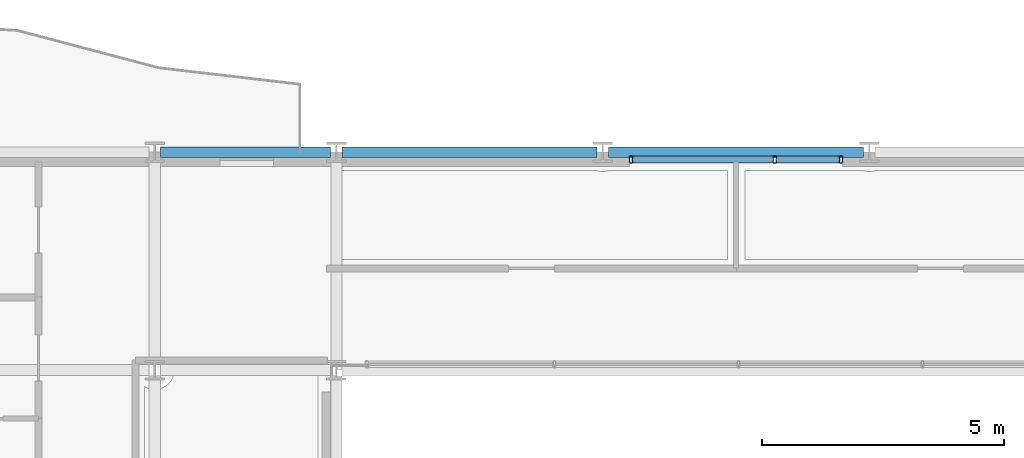
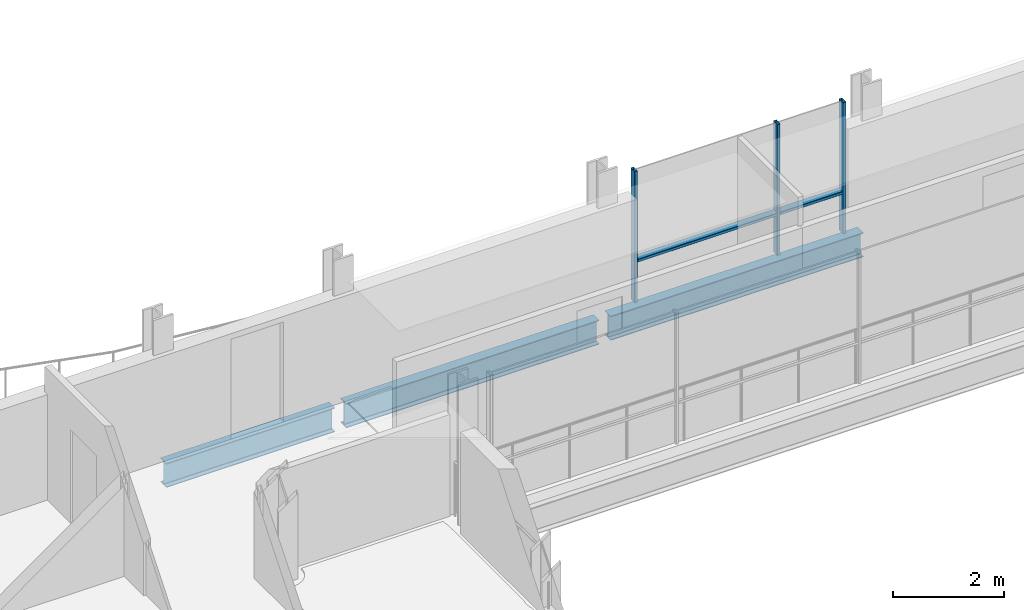
# One storey, part 24 of 41: 5 members, 3 beams, 1 element without a shape of its own.
"""IFC4 building model written with IfcOpenShell, lengths in metres."""

import ifcopenshell
import ifcopenshell.guid

model = None  # the IFC model being written
_history = None  # IfcOwnerHistory: only IFC2X3 demands one
_inside = {}  # id of a spatial element -> (the spatial element, [elements in it])
_under = {}  # id of a project, library or spatial element -> (it, [spatial elements below it])
_declared = {}  # id of a project -> (the project, [libraries it declares])
_typed = {}  # id of a type object -> (the type object, [elements of that type])
_made_of = {}  # id of a material, layer set ... -> (it, [elements and type objects made of it])


def new_model(schema):
    """Start an empty IFC model of exactly this schema.

    Asked for "IFC4X3", IfcOpenShell would pick the latest addendum, in which some entities
    have other attributes; the version numbers below select the first issue.
    IFC2X3 requires an IfcOwnerHistory on every rooted entity: one is made here for all.
    """
    global model, _history
    if schema == "IFC4X3":
        model = ifcopenshell.file(schema_version=(4, 3, 0, 0))
    else:
        model = ifcopenshell.file(schema=schema)
    _inside.clear()
    _under.clear()
    _declared.clear()
    _typed.clear()
    _made_of.clear()
    _history = None
    if model.schema == "IFC2X3":
        org = make("IfcOrganization", Name="unknown")
        user = make(
            "IfcPersonAndOrganization",
            ThePerson=make("IfcPerson", FamilyName="unknown"),
            TheOrganization=org,
        )
        app = make(
            "IfcApplication",
            ApplicationDeveloper=org,
            Version="unknown",
            ApplicationFullName="unknown",
            ApplicationIdentifier="unknown",
        )
        _history = make(
            "IfcOwnerHistory",
            OwningUser=user,
            OwningApplication=app,
            ChangeAction="ADDED",
            CreationDate=0,
        )
    return model


def make(cls, **values):
    """One entity of the class cls with the attributes given. An attribute that is None is left unset."""
    return model.create_entity(
        cls, **{name: value for name, value in values.items() if value is not None}
    )


def rooted(cls, **values):
    """An entity with a GlobalId (a new one), such as an element, a storey or a relation."""
    return make(cls, GlobalId=ifcopenshell.guid.new(), OwnerHistory=_history, **values)


def si_unit(unit_type, name, prefix=None):
    """IfcSIUnit, for example si_unit("LENGTHUNIT", "METRE", prefix="MILLI")."""
    return make("IfcSIUnit", UnitType=unit_type, Prefix=prefix, Name=name)


def assignment(units):
    """IfcUnitAssignment: the units of a project."""
    return None if units is None else make("IfcUnitAssignment", Units=units)


def point(xyz):
    """IfcCartesianPoint."""
    return None if xyz is None else make("IfcCartesianPoint", Coordinates=xyz)


def direction(xyz):
    """IfcDirection."""
    return None if xyz is None else make("IfcDirection", DirectionRatios=xyz)


def frame(location, z_axis=None, x_axis=None):
    """IfcAxis2Placement3D, a coordinate frame: its origin and axes. An axis left out is left unset."""
    return make(
        "IfcAxis2Placement3D",
        Location=point(location),
        Axis=direction(z_axis),
        RefDirection=direction(x_axis),
    )


def frame_2d(location, x_axis=None):
    """IfcAxis2Placement2D, a coordinate frame in the plane: its origin and x axis."""
    return make(
        "IfcAxis2Placement2D", Location=point(location), RefDirection=direction(x_axis)
    )


def origin():
    """The frame at (0, 0, 0) with its axes left unset."""
    return frame((0.0, 0.0, 0.0))


def origin_2d():
    """The frame at (0, 0) in the plane with its x axis left unset."""
    return frame_2d((0.0, 0.0))


def place(relative_to, where):
    """IfcLocalPlacement: puts the frame where relative to a parent placement (None: the world)."""
    return make(
        "IfcLocalPlacement", PlacementRelTo=relative_to, RelativePlacement=where
    )


def context(
    kind, dimensions, precision=None, world=None, true_north=None, identifier=None
):
    """IfcGeometricRepresentationContext, for example the 3D "Model" context."""
    return make(
        "IfcGeometricRepresentationContext",
        ContextIdentifier=identifier,
        ContextType=kind,
        CoordinateSpaceDimension=dimensions,
        Precision=precision,
        WorldCoordinateSystem=world,
        TrueNorth=true_north,
    )


def subcontext(parent, identifier, kind, view, scale=None):
    """IfcGeometricRepresentationSubContext, for example "Body" below "Model"."""
    return make(
        "IfcGeometricRepresentationSubContext",
        ContextIdentifier=identifier,
        ContextType=kind,
        ParentContext=parent,
        TargetScale=scale,
        TargetView=view,
    )


def project(units=None, contexts=None):
    """IfcProject with its units and contexts."""
    return rooted(
        "IfcProject",
        Name="project",
        RepresentationContexts=contexts,
        UnitsInContext=assignment(units),
    )


def spatial(cls, under=None, at=None, **own):
    """A site, building, storey or space (cls), placed at a placement, below another one or the project."""
    s = rooted(cls, ObjectPlacement=at, **own)
    if under is not None:
        _under.setdefault(under.id(), (under, []))[1].append(s)
    return s


def profile(cls, at=None, kind="AREA", **sizes):
    """A parametric profile (cls). Its sizes go by their IFC names, for example OverallWidth=200.0."""
    return make(cls, ProfileType=kind, Position=at, **sizes)


def hollow_rectangle(**sizes):
    """IfcRectangleHollowProfileDef."""
    return profile("IfcRectangleHollowProfileDef", **sizes)


def i_section(**sizes):
    """IfcIShapeProfileDef."""
    return profile("IfcIShapeProfileDef", **sizes)


def extrude(swept, where, along, depth):
    """IfcExtrudedAreaSolid: the profile swept, set in the frame where, extruded along a direction by depth."""
    return make(
        "IfcExtrudedAreaSolid",
        SweptArea=swept,
        Position=where,
        ExtrudedDirection=direction(along),
        Depth=depth,
    )


def shape(context_of_items, identifier, shape_type, items):
    """IfcShapeRepresentation: the items that make up one representation, for example the "Body"."""
    return make(
        "IfcShapeRepresentation",
        ContextOfItems=context_of_items,
        RepresentationIdentifier=identifier,
        RepresentationType=shape_type,
        Items=items,
    )


def material(Name=None, Category=None):
    """IfcMaterial."""
    return make("IfcMaterial", Name=Name, Category=Category)


def layer(
    of_material, thickness, ventilated=None, Name=None, Category=None, Priority=None
):
    """IfcMaterialLayer: one layer of a wall or slab, of a material (None: an air gap)."""
    return make(
        "IfcMaterialLayer",
        Material=of_material,
        LayerThickness=thickness,
        IsVentilated=ventilated,
        Name=Name,
        Category=Category,
        Priority=Priority,
    )


def layer_set(layers, Name=None):
    """IfcMaterialLayerSet."""
    return make("IfcMaterialLayerSet", MaterialLayers=layers, LayerSetName=Name)


def material_profile(
    of_material, cross_section, Name=None, Category=None, Priority=None
):
    """IfcMaterialProfile: a cross section and its material."""
    return make(
        "IfcMaterialProfile",
        Name=Name,
        Material=of_material,
        Profile=cross_section,
        Priority=Priority,
        Category=Category,
    )


def profile_set(profiles, Name=None, composite=None):
    """IfcMaterialProfileSet."""
    return make(
        "IfcMaterialProfileSet",
        Name=Name,
        MaterialProfiles=profiles,
        CompositeProfile=composite,
    )


def made_of(thing, what):
    """Note that an element or type object is made of a material, layer set ...; save() writes the relation."""
    if what is not None:
        _made_of.setdefault(what.id(), (what, []))[1].append(thing)
    return thing


def type_object(cls, material=None, **own):
    """A type object (cls), such as IfcWallType, which elements share."""
    return made_of(rooted(cls, **own), material)


def element(
    cls,
    number,
    at=None,
    inside=None,
    cuts=None,
    type_object=None,
    material=None,
    context=None,
    identifier="Body",
    shape_type=None,
    held_by="IfcProductDefinitionShape",
    body=None,
    shapes=None,
    **own,
):
    """One element of the class cls, such as IfcWall. Its Tag is "e" and its number.

    at: its placement. inside: the storey or other place that contains it. cuts: it is an
    opening in that element (IfcRelVoidsElement). A single representation is given by context,
    identifier, shape_type and body (its items); several are given by shapes. held_by: the class
    of the entity that holds the representations. save() writes the other relations.
    """
    e = rooted(cls, Tag="e%d" % number, ObjectPlacement=at, **own)
    if body is not None:
        shapes = [shape(context, identifier, shape_type, body)]
    if shapes is not None:
        e.Representation = make(held_by, Representations=shapes)
    if inside is not None:
        _inside.setdefault(inside.id(), (inside, []))[1].append(e)
    if cuts is not None:
        rooted(
            "IfcRelVoidsElement", RelatingBuildingElement=cuts, RelatedOpeningElement=e
        )
    if type_object is not None:
        _typed.setdefault(type_object.id(), (type_object, []))[1].append(e)
    return made_of(e, material)


def aggregate(whole, parts):
    """IfcRelAggregates: a whole, such as a stair, and the parts it consists of."""
    return rooted("IfcRelAggregates", RelatingObject=whole, RelatedObjects=parts)


def save(model, path):
    """Write the relations noted so far, then the file.

    IfcRelAggregates (storeys below a building ...), IfcRelContainedInSpatialStructure (elements
    in a storey), IfcRelDefinesByType, IfcRelAssociatesMaterial and IfcRelDeclares: one each for
    every whole, place, type object, material and project.
    """
    for whole, parts in _under.values():
        aggregate(whole, parts)
    for where, things in _inside.values():
        rooted(
            "IfcRelContainedInSpatialStructure",
            RelatedElements=things,
            RelatingStructure=where,
        )
    for kind, things in _typed.values():
        rooted("IfcRelDefinesByType", RelatedObjects=things, RelatingType=kind)
    for what, things in _made_of.values():
        rooted("IfcRelAssociatesMaterial", RelatedObjects=things, RelatingMaterial=what)
    for by, libraries in _declared.values():
        rooted("IfcRelDeclares", RelatingContext=by, RelatedDefinitions=libraries)
    model.write(path)


model = new_model("IFC4")

# Units and contexts
model_context = context("Model", 3, precision=1e-05, world=origin(), true_north=direction((0.0, 1.0)))
body_context = subcontext(model_context, "Body", "Model", "MODEL_VIEW")
ifc_project = project(units=[si_unit("LENGTHUNIT", "METRE"), si_unit("AREAUNIT", "SQUARE_METRE"), si_unit("VOLUMEUNIT", "CUBIC_METRE"), si_unit("PLANEANGLEUNIT", "RADIAN"), si_unit("MASSUNIT", "GRAM", prefix="KILO")], contexts=[model_context])

# Site, building, storey
site_placement = place(None, origin())
site = spatial("IfcSite", under=ifc_project, at=site_placement, CompositionType="ELEMENT")
building_placement = place(site_placement, origin())
building = spatial("IfcBuilding", under=site, at=building_placement, Name="Brevholm Reach", CompositionType="ELEMENT")
storey_placement = place(building_placement, frame((0.0, 0.0, 163.5)))
storey = spatial("IfcBuildingStorey", under=building, at=storey_placement, Name="L49", CompositionType="ELEMENT", Elevation=163.5)

# Beams
ifc_material_1 = material(Name="Structural Steel S355J2", Category="steel")
ifc_material_profile_1 = material_profile(ifc_material_1, i_section(OverallWidth=0.209228515625, OverallDepth=0.533203125, WebThickness=0.010009765625, FlangeThickness=0.015625, FilletRadius=0.0126953125, at=origin_2d()), Name="UKB 533x210x92")
ifc_profile_set_1 = profile_set([ifc_material_profile_1], Name="Structural Steel S355J2")
beam_type = type_object("IfcBeamType", Name="BM-SP533", PredefinedType="SPANDREL", material=ifc_profile_set_1)
beam_placement = place(storey_placement, frame((18.1201171875, 31.0, -0.486572265625), z_axis=(1.0, 0.0, 0.0), x_axis=(0.0, 1.0, 0.0)))
element("IfcBeam", 1, at=beam_placement, inside=storey, type_object=beam_type, Name="L49 SP-02 Framing Beam", PredefinedType="SPANDREL", context=body_context, shape_type="SweptSolid", body=[
    extrude(i_section(OverallWidth=0.209228515625, OverallDepth=0.533203125, WebThickness=0.010009765625, FlangeThickness=0.015625, FilletRadius=0.0126953125, at=origin_2d()), origin(), (0.0, 0.0, 1.0), 3.509765625),
])
for number, where, z_axis, x_axis, name in (
    (2, (21.8701171875, 31.0, -0.486572265625), (1.0, 0.0, 0.0), (0.0, 1.0, 0.0), "L49 SP-02 Framing Beam"),
    (3, (27.3701171875, 31.0, -0.486572265625), (1.0, 0.0, 0.0), (0.0, 1.0, 0.0), "L49 SP-02 Framing Beam"),
):
    element("IfcBeam", number, at=place(storey_placement, frame(where, z_axis=z_axis, x_axis=x_axis)), inside=storey, type_object=beam_type, Name=name, PredefinedType="SPANDREL", context=body_context, shape_type="SweptSolid", body=[
        extrude(i_section(OverallWidth=0.209228515625, OverallDepth=0.533203125, WebThickness=0.010009765625, FlangeThickness=0.015625, FilletRadius=0.0126953125, at=origin_2d()), origin(), (0.0, 0.0, 1.0), 5.259765625),
    ])

# Curtain wall, members
ifc_material_2 = material(Name="Dark Anodised Aluminium 6063-T6 and Solar-Control Glass", Category="aluminium")
ifc_layer = layer(ifc_material_2, 0.14990234375)
ifc_layer_set = layer_set([ifc_layer], Name="Dark Anodised Aluminium 6063-T6 and Solar-Control Glass")
curtain_wall_type = type_object("IfcCurtainWallType", Name="CW-01", PredefinedType="NOTDEFINED", material=ifc_layer_set)
curtain_wall_placement = place(storey_placement, origin())
curtain_wall = element("IfcCurtainWall", 4, at=curtain_wall_placement, inside=storey, type_object=curtain_wall_type, Name="L49 Curtain Wall CW-01", PredefinedType="NOTDEFINED")
ifc_material_3 = material(Name="Dark Anodised Aluminium 6063-T6", Category="aluminium")
ifc_material_profile_2 = material_profile(ifc_material_3, hollow_rectangle(XDim=0.06494140625, YDim=0.14990234375, WallThickness=0.0048828125, InnerFilletRadius=0.0048828125, OuterFilletRadius=0.010009765625, at=origin_2d()), Name="RHS 150x65x5")
ifc_profile_set_2 = profile_set([ifc_material_profile_2], Name="Dark Anodised Aluminium 6063-T6")
member_type_1 = type_object("IfcMemberType", Name="CWM-150", PredefinedType="MULLION", material=ifc_profile_set_2)
member_1_placement = place(storey_placement, frame((27.83251953125, 30.85009765625, 0.0), z_axis=(0.0, 0.0, 1.0), x_axis=(1.0, 0.0, 0.0)))
member_1 = element("IfcMember", 5, at=member_1_placement, type_object=member_type_1, Name="CM-150 Mullion 1", PredefinedType="MULLION", context=body_context, shape_type="SweptSolid", body=[
    extrude(hollow_rectangle(XDim=0.06494140625, YDim=0.14990234375, WallThickness=0.0048828125, InnerFilletRadius=0.0048828125, OuterFilletRadius=0.010009765625, at=origin_2d()), origin(), (0.0, 0.0, 1.0), 2.8798828125),
])
member_2_placement = place(storey_placement, frame((30.800048828125, 30.85009765625, 0.0), z_axis=(0.0, 0.0, 1.0), x_axis=(1.0, 0.0, 0.0)))
member_2 = element("IfcMember", 6, at=member_2_placement, type_object=member_type_1, Name="CM-150 Mullion 2", PredefinedType="MULLION", context=body_context, shape_type="SweptSolid", body=[
    extrude(hollow_rectangle(XDim=0.06494140625, YDim=0.14990234375, WallThickness=0.0048828125, InnerFilletRadius=0.0048828125, OuterFilletRadius=0.010009765625, at=origin_2d()), origin(), (0.0, 0.0, 1.0), 2.8798828125),
])
member_3_placement = place(storey_placement, frame((32.16748046875, 30.85009765625, 0.0), z_axis=(0.0, 0.0, 1.0), x_axis=(1.0, 0.0, 0.0)))
member_3 = element("IfcMember", 7, at=member_3_placement, type_object=member_type_1, Name="CM-150 Mullion 3", PredefinedType="MULLION", context=body_context, shape_type="SweptSolid", body=[
    extrude(hollow_rectangle(XDim=0.06494140625, YDim=0.14990234375, WallThickness=0.0048828125, InnerFilletRadius=0.0048828125, OuterFilletRadius=0.010009765625, at=origin_2d()), origin(), (0.0, 0.0, 1.0), 2.8798828125),
])
ifc_material_4 = material(Name="Dark Anodised Aluminium 6063-T6", Category="aluminium")
ifc_material_profile_3 = material_profile(ifc_material_4, hollow_rectangle(XDim=0.06494140625, YDim=0.14990234375, WallThickness=0.0048828125, InnerFilletRadius=0.0048828125, OuterFilletRadius=0.010009765625, at=origin_2d()), Name="RHS 150x65x5")
ifc_profile_set_3 = profile_set([ifc_material_profile_3], Name="Dark Anodised Aluminium 6063-T6")
member_type_2 = type_object("IfcMemberType", Name="CWT-150", PredefinedType="NOTDEFINED", material=ifc_profile_set_3)
member_4_placement = place(storey_placement, frame((27.864990234375, 30.85009765625, 0.89990234375), z_axis=(1.0, 0.0, 0.0), x_axis=(0.0, 0.0, 1.0)))
member_4 = element("IfcMember", 8, at=member_4_placement, type_object=member_type_2, Name="CT-150 Transom 1.1", ObjectType="TRANSOM", PredefinedType="USERDEFINED", context=body_context, shape_type="SweptSolid", body=[
    extrude(hollow_rectangle(XDim=0.06494140625, YDim=0.14990234375, WallThickness=0.0048828125, InnerFilletRadius=0.0048828125, OuterFilletRadius=0.010009765625, at=origin_2d()), origin(), (0.0, 0.0, 1.0), 2.902587890625),
])
member_5_placement = place(storey_placement, frame((30.83251953125, 30.85009765625, 0.89990234375), z_axis=(1.0, 0.0, 0.0), x_axis=(0.0, 0.0, 1.0)))
member_5 = element("IfcMember", 9, at=member_5_placement, type_object=member_type_2, Name="CT-150 Transom 2.1", ObjectType="TRANSOM", PredefinedType="USERDEFINED", context=body_context, shape_type="SweptSolid", body=[
    extrude(hollow_rectangle(XDim=0.06494140625, YDim=0.14990234375, WallThickness=0.0048828125, InnerFilletRadius=0.0048828125, OuterFilletRadius=0.010009765625, at=origin_2d()), origin(), (0.0, 0.0, 1.0), 1.302490234375),
])
aggregate(curtain_wall, [member_1, member_2, member_3, member_4, member_5])

save(model, "model.ifc")
